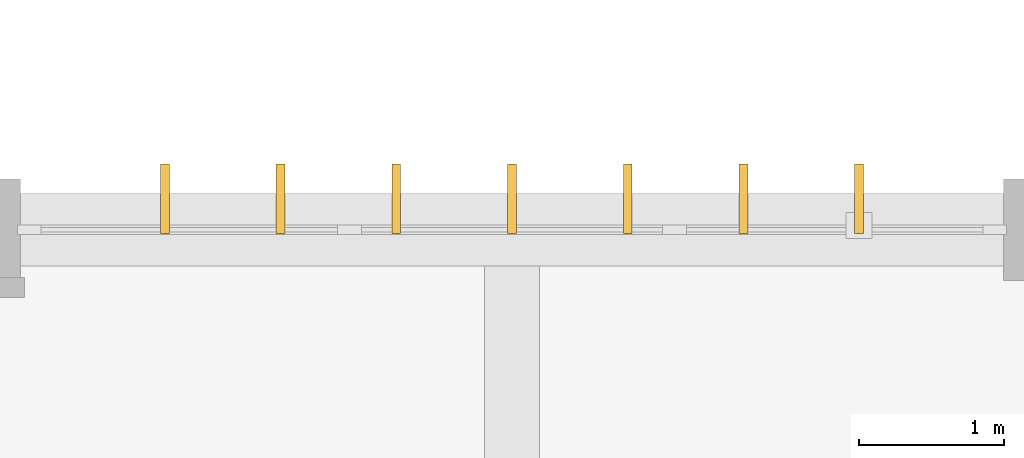
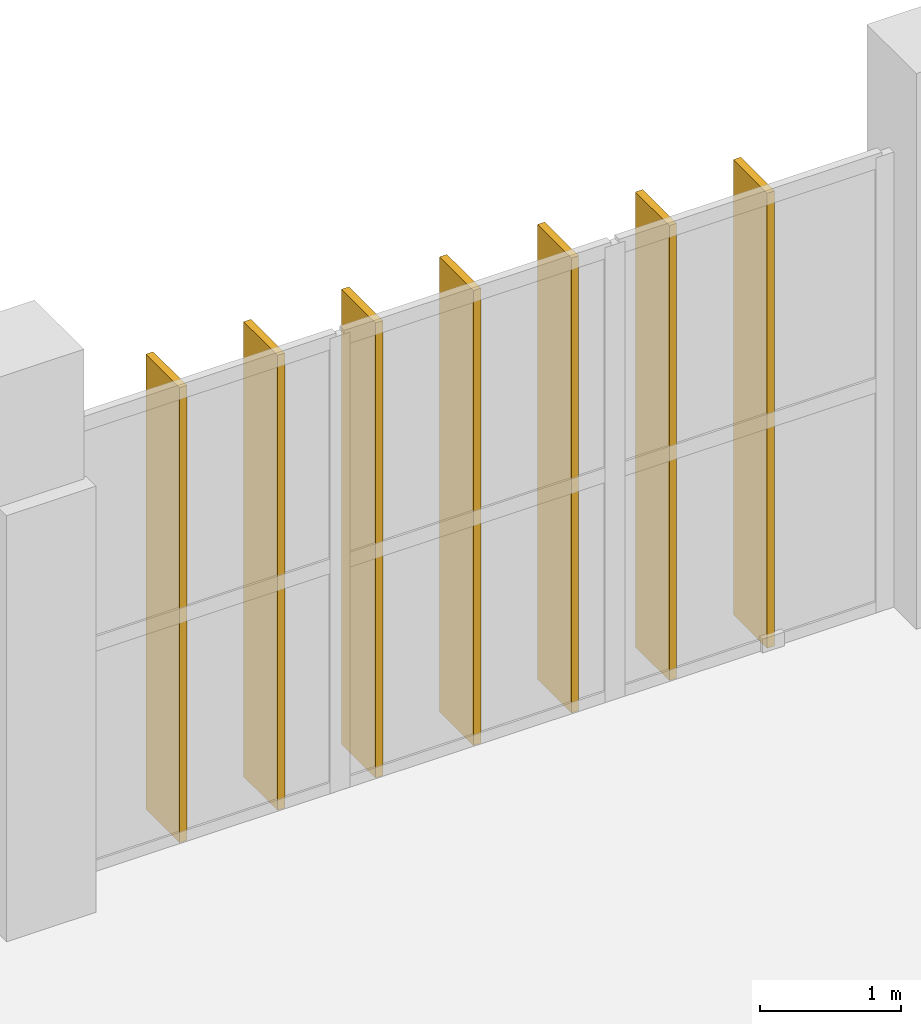
# One storey, part 71 of 72: 7 shading devices.
"""IFC4 building model written with IfcOpenShell, lengths in metres."""

from ifc_helpers import new_model, si_unit, direction, frame, origin, origin_2d, place, context, subcontext, project, spatial, rectangle, extrude, material, material_profile, profile_set, type_object, element, save


model = new_model("IFC4")

# Units and contexts
model_context = context("Model", 3, precision=1e-05, world=origin(), true_north=direction((0.0, 1.0)))
body_context = subcontext(model_context, "Body", "Model", "MODEL_VIEW")
ifc_project = project(units=[si_unit("LENGTHUNIT", "METRE"), si_unit("AREAUNIT", "SQUARE_METRE"), si_unit("VOLUMEUNIT", "CUBIC_METRE"), si_unit("PLANEANGLEUNIT", "RADIAN"), si_unit("MASSUNIT", "GRAM", prefix="KILO")], contexts=[model_context])

# Site, building, storey
site_placement = place(None, origin())
site = spatial("IfcSite", under=ifc_project, at=site_placement, CompositionType="ELEMENT")
building_placement = place(site_placement, origin())
building = spatial("IfcBuilding", under=site, at=building_placement, Name="Vourika Railside Aquatics Centre", CompositionType="ELEMENT")
storey_placement = place(building_placement, origin())
storey = spatial("IfcBuildingStorey", under=building, at=storey_placement, Name="L00", CompositionType="ELEMENT", Elevation=0.0)

# Shading devices
ifc_material = material(Name="Bronze-anodized extruded aluminium", Category="aluminium")
ifc_material_profile = material_profile(ifc_material, rectangle(XDim=0.06005859375, YDim=0.47998046875, at=origin_2d()), Name="ALU-FIN 60x480")
ifc_profile_set = profile_set([ifc_material_profile], Name="Bronze-anodized extruded aluminium")
shading_device_type = type_object("IfcShadingDeviceType", Name="SHD-FIN-F48A", PredefinedType="USERDEFINED", material=ifc_profile_set)
for number, where, z_axis, x_axis, name in (
    (1, (127.35009765625, 116.215087890625, 0.0), (0.0, 0.0, 1.0), (1.0, 0.0, 0.0), "Vertical Solar Fin VSF-0635"),
    (2, (128.14990234375, 116.215087890625, 0.0), (0.0, 0.0, 1.0), (1.0, 0.0, 0.0), "Vertical Solar Fin VSF-0636"),
    (3, (128.949951171875, 116.215087890625, 0.0), (0.0, 0.0, 1.0), (1.0, 0.0, 0.0), "Vertical Solar Fin VSF-0637"),
    (4, (129.75, 116.215087890625, 0.0), (0.0, 0.0, 1.0), (1.0, 0.0, 0.0), "Vertical Solar Fin VSF-0638"),
    (5, (130.550048828125, 116.215087890625, 0.0), (0.0, 0.0, 1.0), (1.0, 0.0, 0.0), "Vertical Solar Fin VSF-0639"),
    (6, (131.35009765625, 116.215087890625, 0.0), (0.0, 0.0, 1.0), (1.0, 0.0, 0.0), "Vertical Solar Fin VSF-0640"),
    (7, (132.14990234375, 116.215087890625, 0.0), (0.0, 0.0, 1.0), (1.0, 0.0, 0.0), "Vertical Solar Fin VSF-0641"),
):
    element("IfcShadingDevice", number, at=place(storey_placement, frame(where, z_axis=z_axis, x_axis=x_axis)), inside=storey, type_object=shading_device_type, Name=name, ObjectType="FIN", PredefinedType="USERDEFINED", context=body_context, shape_type="SweptSolid", body=[
        extrude(rectangle(XDim=0.06005859375, YDim=0.47998046875, at=origin_2d()), origin(), (0.0, 0.0, 1.0), 3.929931640625),
    ])

save(model, "model.ifc")
